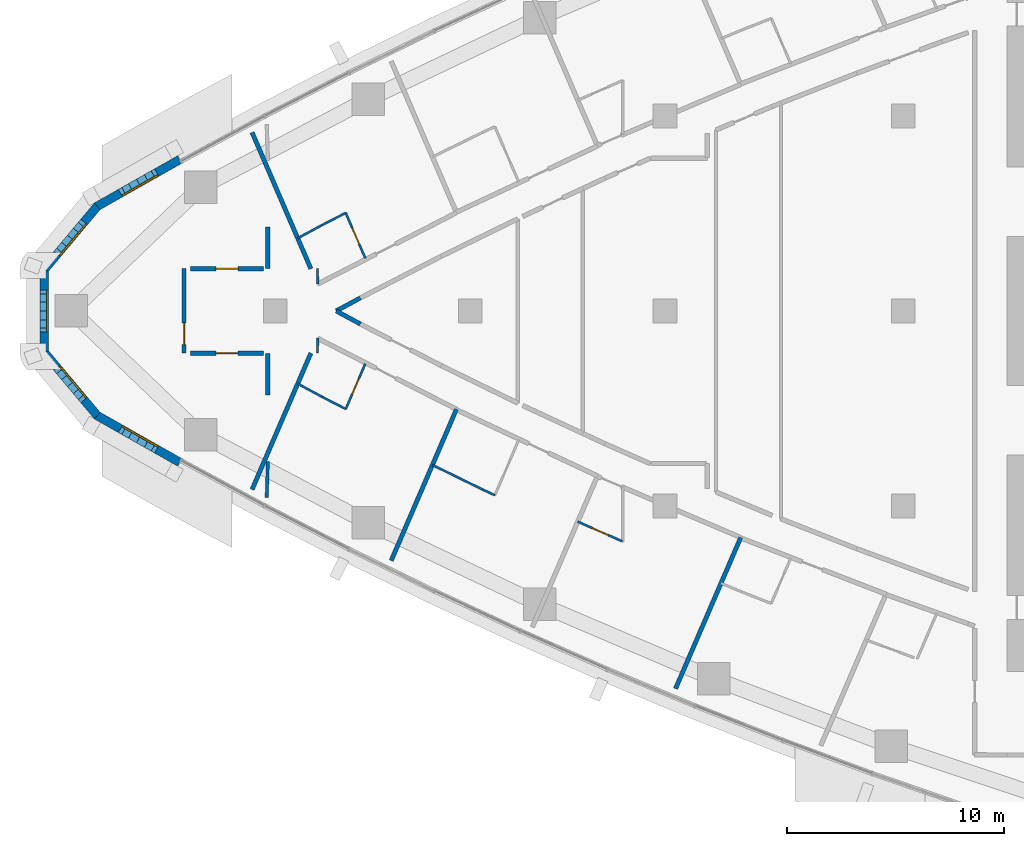
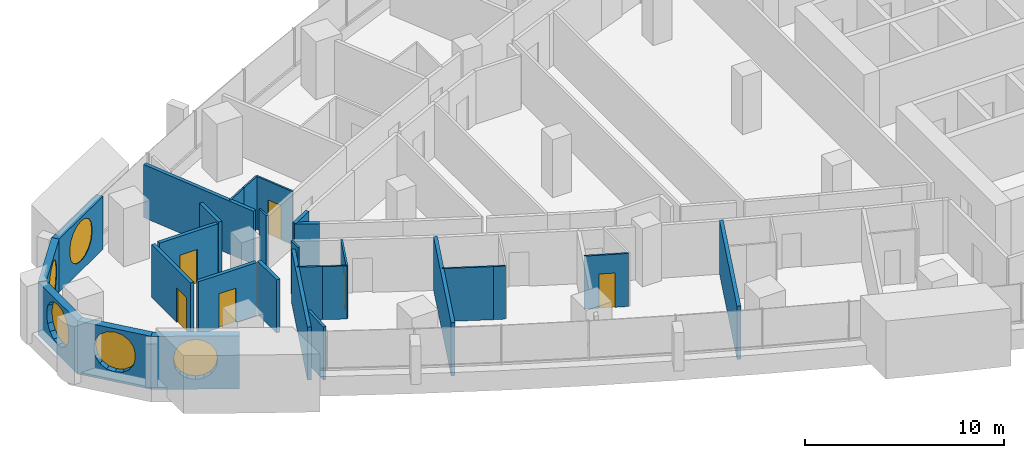
# One storey, part 8 of 17: 28 walls, 6 doors, 5 windows, 11 openings.
"""IFC4 building model written with IfcOpenShell, lengths in metres."""

from ifc_helpers import new_model, si_unit, direction, frame, frame_2d, origin, place, context, subcontext, project, spatial, polyline, rectangle, outline, extrude, material, layer, layer_set, type_object, element, fill, save


model = new_model("IFC4")

# Units and contexts
model_context = context("Model", 3, precision=1e-05, world=origin(), true_north=direction((0.0, 1.0)))
body_context = subcontext(model_context, "Body", "Model", "MODEL_VIEW")
ifc_project = project(units=[si_unit("LENGTHUNIT", "METRE"), si_unit("AREAUNIT", "SQUARE_METRE"), si_unit("VOLUMEUNIT", "CUBIC_METRE"), si_unit("PLANEANGLEUNIT", "RADIAN"), si_unit("MASSUNIT", "GRAM", prefix="KILO")], contexts=[model_context])

# Site, building, storey
site_placement = place(None, origin())
site = spatial("IfcSite", under=ifc_project, at=site_placement, CompositionType="ELEMENT")
building_placement = place(site_placement, origin())
building = spatial("IfcBuilding", under=site, at=building_placement, Name="Ostrand Prow Hotel Tower", CompositionType="ELEMENT")
storey_placement = place(building_placement, frame((0.0, 0.0, 137.300048828125)))
storey = spatial("IfcBuildingStorey", under=building, at=storey_placement, Name="L33", CompositionType="ELEMENT", Elevation=137.300048828125)

# Walls
ifc_material_1 = material(Name="Plasterboard partition")
ifc_layer_1 = layer(ifc_material_1, 0.10009765625)
ifc_layer_set_1 = layer_set([ifc_layer_1], Name="Plasterboard partition")
wall_type_1 = type_object("IfcWallType", Name="Partition 100 bathroom wall", PredefinedType="PARTITIONING", material=ifc_layer_set_1)
wall_1_placement = place(storey_placement, frame((17.03564453125, 3.3583984375, 0.0), z_axis=(0.0, 0.0, 1.0), x_axis=(0.879823588489, 0.475300382009, 0.0)))
element("IfcWall", 1, at=wall_1_placement, inside=storey, type_object=wall_type_1, Name="BATHROOM WALL", PredefinedType="PARTITIONING", context=body_context, shape_type="SweptSolid", body=[
    extrude(rectangle(XDim=1.27294921875, YDim=0.10009765625, at=frame_2d((0.636474609375, 0.0))), origin(), (0.0, 0.0, 1.0), 3.25),
])
wall_2_placement = place(storey_placement, frame((18.155517578125, 3.96337890625, 0.0), z_axis=(0.0, 0.0, 1.0), x_axis=(0.889106231322, 0.457700895154, 0.0)))
element("IfcWall", 2, at=wall_2_placement, inside=storey, type_object=wall_type_1, Name="BATHROOM WALL", PredefinedType="PARTITIONING", context=body_context, shape_type="SweptSolid", body=[
    extrude(rectangle(XDim=1.23486328125, YDim=0.10009765625, at=frame_2d((0.617431640625, 0.0))), origin(), (0.0, 0.0, 1.0), 3.25),
])

# Wall, opening, door
wall_3_placement = place(storey_placement, frame((19.253662109375, 4.528564453125, 0.0), z_axis=(0.0, 0.0, 1.0), x_axis=(0.395958457437, -0.9182684248, 0.0)))
wall_3 = element("IfcWall", 3, at=wall_3_placement, inside=storey, type_object=wall_type_1, Name="BATHROOM WALL", PredefinedType="PARTITIONING", context=body_context, shape_type="SweptSolid", body=[
    extrude(rectangle(XDim=2.281982421875, YDim=0.10009765625, at=frame_2d((1.14111328125, 0.0))), origin(), (0.0, 0.0, 1.0), 3.25),
])
opening_1_placement = place(wall_3_placement, frame((0.75, 0.0, 0.0)))
opening_1 = element("IfcOpeningElement", 4, at=opening_1_placement, cuts=wall_3, Name="Opening D2", PredefinedType="OPENING", context=body_context, shape_type="SweptSolid", body=[
    extrude(rectangle(XDim=0.800048828125, YDim=2.10009765625, at=frame_2d((0.39990234375, 1.050048828125))), frame((0.0, 0.06005859375, 0.0), z_axis=(0.0, -1.0, 0.0), x_axis=(1.0, 0.0, 0.0)), (0.0, 0.0, 1.0), 0.1201171875),
])
ifc_material_2 = material(Name="Timber door leaf", Category="wood")
door_type_1 = type_object("IfcDoorType", Name="Bathroom door 800", OperationType="SINGLE_SWING_LEFT", PredefinedType="DOOR", material=ifc_material_2)
door_1_placement = place(opening_1_placement, origin())
door_1 = element("IfcDoor", 5, at=door_1_placement, inside=storey, type_object=door_type_1, Name="DOOR", OperationType="SINGLE_SWING_LEFT", OverallHeight=2.10009765625, OverallWidth=0.800048828125, PredefinedType="DOOR", context=body_context, shape_type="SweptSolid", body=[
    extrude(rectangle(XDim=0.800048828125, YDim=2.10009765625, at=frame_2d((0.39990234375, 1.050048828125))), frame((0.0, 0.02490234375, 0.0), z_axis=(0.0, -1.0, 0.0), x_axis=(1.0, 0.0, 0.0)), (0.0, 0.0, 1.0), 0.050048828125),
])
fill(opening_1, door_1)

wall_4_placement = place(storey_placement, frame((20.1572265625, -2.43310546875, 0.0), z_axis=(0.0, 0.0, 1.0), x_axis=(-0.395958457437, -0.9182684248, 0.0)))
wall_4 = element("IfcWall", 6, at=wall_4_placement, inside=storey, type_object=wall_type_1, Name="BATHROOM WALL", PredefinedType="PARTITIONING", context=body_context, shape_type="SweptSolid", body=[
    extrude(rectangle(XDim=2.281982421875, YDim=0.10009765625, at=frame_2d((1.14111328125, 0.0))), origin(), (0.0, 0.0, 1.0), 3.25),
])
opening_2_placement = place(wall_4_placement, frame((0.75, 0.0, 0.0)))
opening_2 = element("IfcOpeningElement", 7, at=opening_2_placement, cuts=wall_4, Name="Opening D2", PredefinedType="OPENING", context=body_context, shape_type="SweptSolid", body=[
    extrude(rectangle(XDim=0.800048828125, YDim=2.10009765625, at=frame_2d((0.39990234375, 1.050048828125))), frame((0.0, 0.06005859375, 0.0), z_axis=(0.0, -1.0, 0.0), x_axis=(1.0, 0.0, 0.0)), (0.0, 0.0, 1.0), 0.1201171875),
])
door_2_placement = place(opening_2_placement, origin())
door_2 = element("IfcDoor", 8, at=door_2_placement, inside=storey, type_object=door_type_1, Name="DOOR", OperationType="SINGLE_SWING_LEFT", OverallHeight=2.10009765625, OverallWidth=0.800048828125, PredefinedType="DOOR", context=body_context, shape_type="SweptSolid", body=[
    extrude(rectangle(XDim=0.800048828125, YDim=2.10009765625, at=frame_2d((0.39990234375, 1.050048828125))), frame((0.0, 0.02490234375, 0.0), z_axis=(0.0, -1.0, 0.0), x_axis=(1.0, 0.0, 0.0)), (0.0, 0.0, 1.0), 0.050048828125),
])
fill(opening_2, door_2)

# Walls
wall_5_placement = place(storey_placement, frame((19.25341796875, -4.528564453125, 0.0), z_axis=(0.0, 0.0, 1.0), x_axis=(-0.889106231322, 0.457700895154, 0.0)))
element("IfcWall", 9, at=wall_5_placement, inside=storey, type_object=wall_type_1, Name="BATHROOM WALL", PredefinedType="PARTITIONING", context=body_context, shape_type="SweptSolid", body=[
    extrude(rectangle(XDim=1.23486328125, YDim=0.10009765625, at=frame_2d((0.617431640625, 0.0))), origin(), (0.0, 0.0, 1.0), 3.25),
])
wall_6_placement = place(storey_placement, frame((18.155517578125, -3.96337890625, 0.0), z_axis=(0.0, 0.0, 1.0), x_axis=(-0.879823588489, 0.475300382009, 0.0)))
element("IfcWall", 10, at=wall_6_placement, inside=storey, type_object=wall_type_1, Name="BATHROOM WALL", PredefinedType="PARTITIONING", context=body_context, shape_type="SweptSolid", body=[
    extrude(rectangle(XDim=1.27294921875, YDim=0.10009765625, at=frame_2d((0.636474609375, 0.0))), origin(), (0.0, 0.0, 1.0), 3.25),
])
wall_7_placement = place(storey_placement, frame((26.1396484375, -8.510009765625, 0.0), z_axis=(0.0, 0.0, 1.0), x_axis=(-0.906923333349, 0.421295700699, 0.0)))
element("IfcWall", 11, at=wall_7_placement, inside=storey, type_object=wall_type_1, Name="BATHROOM WALL", PredefinedType="PARTITIONING", context=body_context, shape_type="SweptSolid", body=[
    extrude(rectangle(XDim=0.622314453125, YDim=0.10009765625, at=frame_2d((0.31103515625, 0.0))), origin(), (0.0, 0.0, 1.0), 3.25),
])
wall_8_placement = place(storey_placement, frame((25.5751953125, -8.247802734375, 0.0), z_axis=(0.0, 0.0, 1.0), x_axis=(-0.89814200952, 0.439705504555, 0.0)))
element("IfcWall", 12, at=wall_8_placement, inside=storey, type_object=wall_type_1, Name="BATHROOM WALL", PredefinedType="PARTITIONING", context=body_context, shape_type="SweptSolid", body=[
    extrude(rectangle(XDim=2.580810546875, YDim=0.10009765625, at=frame_2d((1.29052734375, 0.0))), origin(), (0.0, 0.0, 1.0), 3.25),
])

# Wall, opening, door
wall_9_placement = place(storey_placement, frame((32.02783203125, -10.638427734375, 0.0), z_axis=(0.0, 0.0, 1.0), x_axis=(-0.915118086658, 0.403185921719, 0.0)))
wall_9 = element("IfcWall", 13, at=wall_9_placement, inside=storey, type_object=wall_type_1, Name="BATHROOM WALL", PredefinedType="PARTITIONING", context=body_context, shape_type="SweptSolid", body=[
    extrude(rectangle(XDim=2.24951171875, YDim=0.10009765625, at=frame_2d((1.124755859375, 0.0))), origin(), (0.0, 0.0, 1.0), 3.25),
])
opening_3_placement = place(wall_9_placement, frame((0.699951171875, 0.0, 0.0)))
opening_3 = element("IfcOpeningElement", 14, at=opening_3_placement, cuts=wall_9, Name="Opening D2", PredefinedType="OPENING", context=body_context, shape_type="SweptSolid", body=[
    extrude(rectangle(XDim=0.800048828125, YDim=2.10009765625, at=frame_2d((0.39990234375, 1.050048828125))), frame((0.0, 0.06005859375, 0.0), z_axis=(0.0, -1.0, 0.0), x_axis=(1.0, 0.0, 0.0)), (0.0, 0.0, 1.0), 0.1201171875),
])
door_3_placement = place(opening_3_placement, origin())
door_3 = element("IfcDoor", 15, at=door_3_placement, inside=storey, type_object=door_type_1, Name="DOOR", OperationType="SINGLE_SWING_LEFT", OverallHeight=2.10009765625, OverallWidth=0.800048828125, PredefinedType="DOOR", context=body_context, shape_type="SweptSolid", body=[
    extrude(rectangle(XDim=0.800048828125, YDim=2.10009765625, at=frame_2d((0.39990234375, 1.050048828125))), frame((0.0, 0.02490234375, 0.0), z_axis=(0.0, -1.0, 0.0), x_axis=(1.0, 0.0, 0.0)), (0.0, 0.0, 1.0), 0.050048828125),
])
fill(opening_3, door_3)

# Walls
for number, where, z_axis, x_axis, name in (
    (16, (17.959716796875, 1.248779296875, 0.0), (0.0, 0.0, 1.0), (-0.007291472831, 0.999973416859, 0.0), "BATHROOM WALL"),
    (17, (17.95458984375, -1.951904296875, 0.0), (0.0, 0.0, 1.0), (0.007291472831, 0.999973416859, 0.0), "BATHROOM WALL"),
):
    element("IfcWall", number, at=place(storey_placement, frame(where, z_axis=z_axis, x_axis=x_axis)), inside=storey, type_object=wall_type_1, Name=name, PredefinedType="PARTITIONING", context=body_context, shape_type="SweptSolid", body=[
        extrude(rectangle(XDim=0.703125, YDim=0.10009765625, at=frame_2d((0.3515625, 0.0))), origin(), (0.0, 0.0, 1.0), 3.25),
    ])
ifc_material_3 = material(Name="Plasterboard partition")
ifc_layer_2 = layer(ifc_material_3, 0.14990234375)
ifc_layer_set_2 = layer_set([ifc_layer_2], Name="Plasterboard partition")
wall_type_2 = type_object("IfcWallType", Name="Partition 150 room partition", PredefinedType="PARTITIONING", material=ifc_layer_set_2)
wall_10_placement = place(storey_placement, frame((15.65869140625, -6.955078125, 0.0), z_axis=(0.0, 0.0, 1.0), x_axis=(-0.033196927484, -0.999448830109, 0.0)))
element("IfcWall", 18, at=wall_10_placement, inside=storey, type_object=wall_type_2, Name="ROOM PARTITION", PredefinedType="PARTITIONING", context=body_context, shape_type="SweptSolid", body=[
    extrude(rectangle(XDim=1.65478515625, YDim=0.14990234375, at=frame_2d((0.827392578125, 0.0))), origin(), (0.0, 0.0, 1.0), 3.25),
])

# Wall, opening, door
ifc_material_4 = material(Name="Plasterboard partition")
ifc_layer_3 = layer(ifc_material_4, 0.199951171875)
ifc_layer_set_3 = layer_set([ifc_layer_3], Name="Plasterboard partition")
wall_type_3 = type_object("IfcWallType", Name="Partition 200 corridor wall", PredefinedType="PARTITIONING", material=ifc_layer_set_3)
wall_11_placement = place(storey_placement, frame((12.086669921875, 1.949951171875, 0.0), z_axis=(0.0, 0.0, 1.0), x_axis=(1.0, 0.0, 0.0)))
wall_11 = element("IfcWall", 19, at=wall_11_placement, inside=storey, type_object=wall_type_3, Name="CORRIDOR WALL", PredefinedType="PARTITIONING", context=body_context, shape_type="SweptSolid", body=[
    extrude(rectangle(XDim=3.3720703125, YDim=0.199951171875, at=frame_2d((1.68603515625, 0.0))), origin(), (0.0, 0.0, 1.0), 3.25),
])
opening_4_placement = place(wall_11_placement, frame((1.18603515625, 0.0, 0.0)))
opening_4 = element("IfcOpeningElement", 20, at=opening_4_placement, cuts=wall_11, Name="Opening D1", PredefinedType="OPENING", context=body_context, shape_type="SweptSolid", body=[
    extrude(rectangle(XDim=1.0, YDim=2.10009765625, at=frame_2d((0.5, 1.050048828125))), frame((0.0, 0.10986328125, 0.0), z_axis=(0.0, -1.0, 0.0), x_axis=(1.0, 0.0, 0.0)), (0.0, 0.0, 1.0), 0.219970703125),
])
ifc_material_5 = material(Name="Timber door leaf", Category="wood")
door_type_2 = type_object("IfcDoorType", Name="Guest room door 1000", OperationType="SINGLE_SWING_LEFT", PredefinedType="DOOR", material=ifc_material_5)
door_4_placement = place(opening_4_placement, origin())
door_4 = element("IfcDoor", 21, at=door_4_placement, inside=storey, type_object=door_type_2, Name="DOOR", OperationType="SINGLE_SWING_LEFT", OverallHeight=2.10009765625, OverallWidth=1.0, PredefinedType="DOOR", context=body_context, shape_type="SweptSolid", body=[
    extrude(rectangle(XDim=1.0, YDim=2.10009765625, at=frame_2d((0.5, 1.050048828125))), frame((0.0, 0.02490234375, 0.0), z_axis=(0.0, -1.0, 0.0), x_axis=(1.0, 0.0, 0.0)), (0.0, 0.0, 1.0), 0.050048828125),
])
fill(opening_4, door_4)

wall_12_placement = place(storey_placement, frame((12.086669921875, -1.949951171875, 0.0), z_axis=(0.0, 0.0, 1.0), x_axis=(1.0, 0.0, 0.0)))
wall_12 = element("IfcWall", 22, at=wall_12_placement, inside=storey, type_object=wall_type_3, Name="CORRIDOR WALL", PredefinedType="PARTITIONING", context=body_context, shape_type="SweptSolid", body=[
    extrude(rectangle(XDim=3.3720703125, YDim=0.199951171875, at=frame_2d((1.68603515625, 0.0))), origin(), (0.0, 0.0, 1.0), 3.25),
])
opening_5_placement = place(wall_12_placement, frame((1.18603515625, 0.0, 0.0)))
opening_5 = element("IfcOpeningElement", 23, at=opening_5_placement, cuts=wall_12, Name="Opening D1R", PredefinedType="OPENING", context=body_context, shape_type="SweptSolid", body=[
    extrude(rectangle(XDim=1.0, YDim=2.10009765625, at=frame_2d((0.5, 1.050048828125))), frame((0.0, 0.10986328125, 0.0), z_axis=(0.0, -1.0, 0.0), x_axis=(1.0, 0.0, 0.0)), (0.0, 0.0, 1.0), 0.219970703125),
])
ifc_material_6 = material(Name="Timber door leaf", Category="wood")
door_type_3 = type_object("IfcDoorType", Name="Guest room door 1000 right", OperationType="SINGLE_SWING_RIGHT", PredefinedType="DOOR", material=ifc_material_6)
door_5_placement = place(opening_5_placement, origin())
door_5 = element("IfcDoor", 24, at=door_5_placement, inside=storey, type_object=door_type_3, Name="DOOR", OperationType="SINGLE_SWING_RIGHT", OverallHeight=2.10009765625, OverallWidth=1.0, PredefinedType="DOOR", context=body_context, shape_type="SweptSolid", body=[
    extrude(rectangle(XDim=1.0, YDim=2.10009765625, at=frame_2d((0.5, 1.050048828125))), frame((0.0, 0.02490234375, 0.0), z_axis=(0.0, -1.0, 0.0), x_axis=(1.0, 0.0, 0.0)), (0.0, 0.0, 1.0), 0.050048828125),
])
fill(opening_5, door_5)

# Walls
for number, where, z_axis, x_axis, name in (
    (25, (19.928466796875, -0.60205078125, 0.0), (0.0, 0.0, 1.0), (-0.879832865766, 0.475283208538, 0.0), "CORRIDOR WALL"),
    (26, (18.81396484375, 0.0, 0.0), (0.0, 0.0, 1.0), (0.879832865766, 0.475283208538, 0.0), "CORRIDOR WALL"),
):
    element("IfcWall", number, at=place(storey_placement, frame(where, z_axis=z_axis, x_axis=x_axis)), inside=storey, type_object=wall_type_3, Name=name, PredefinedType="PARTITIONING", context=body_context, shape_type="SweptSolid", body=[
        extrude(rectangle(XDim=1.2666015625, YDim=0.199951171875, at=frame_2d((0.63330078125, 0.0))), origin(), (0.0, 0.0, 1.0), 3.25),
    ])
wall_13_placement = place(storey_placement, frame((15.65869140625, 3.869384765625, 0.0), z_axis=(0.0, 0.0, 1.0), x_axis=(0.0, -1.0, 0.0)))
element("IfcWall", 27, at=wall_13_placement, inside=storey, type_object=wall_type_3, Name="CORRIDOR WALL", PredefinedType="PARTITIONING", context=body_context, shape_type="SweptSolid", body=[
    extrude(rectangle(XDim=1.914306640625, YDim=0.199951171875, at=frame_2d((0.95703125, 0.0))), origin(), (0.0, 0.0, 1.0), 3.25),
])
wall_14_placement = place(storey_placement, frame((15.65869140625, -1.955078125, 0.0), z_axis=(0.0, 0.0, 1.0), x_axis=(0.0, -1.0, 0.0)))
element("IfcWall", 28, at=wall_14_placement, inside=storey, type_object=wall_type_3, Name="CORRIDOR WALL", PredefinedType="PARTITIONING", context=body_context, shape_type="SweptSolid", body=[
    extrude(rectangle(XDim=1.921630859375, YDim=0.199951171875, at=frame_2d((0.9609375, 0.0))), origin(), (0.0, 0.0, 1.0), 3.25),
])
ifc_material_7 = material(Name="Plasterboard partition")
ifc_layer_4 = layer(ifc_material_7, 0.199951171875)
ifc_layer_set_4 = layer_set([ifc_layer_4], Name="Plasterboard partition")
wall_type_4 = type_object("IfcWallType", Name="Partition 200 key partition", PredefinedType="PARTITIONING", material=ifc_layer_set_4)
for number, where, z_axis, x_axis, name in (
    (29, (17.64306640625, 1.949951171875, 0.0), (0.0, 0.0, 1.0), (-0.395994543879, 0.918252863441, 0.0), "KEY PARTITION"),
    (30, (14.9287109375, -8.244140625, 0.0), (0.0, 0.0, 1.0), (0.395994543879, 0.918252863441, 0.0), "KEY PARTITION"),
):
    element("IfcWall", number, at=place(storey_placement, frame(where, z_axis=z_axis, x_axis=x_axis)), inside=storey, type_object=wall_type_4, Name=name, PredefinedType="PARTITIONING", context=body_context, shape_type="SweptSolid", body=[
        extrude(rectangle(XDim=6.8544921875, YDim=0.199951171875, at=frame_2d((3.42724609375, 0.0))), origin(), (0.0, 0.0, 1.0), 3.25),
    ])
wall_15_placement = place(storey_placement, frame((21.3544921875, -11.52587890625, 0.0), z_axis=(0.0, 0.0, 1.0), x_axis=(0.395982367396, 0.918258114427, 0.0)))
element("IfcWall", 31, at=wall_15_placement, inside=storey, type_object=wall_type_4, Name="KEY PARTITION", PredefinedType="PARTITIONING", context=body_context, shape_type="SweptSolid", body=[
    extrude(rectangle(XDim=7.60888671875, YDim=0.199951171875, at=frame_2d((3.804443359375, 0.0))), origin(), (0.0, 0.0, 1.0), 3.25),
])
wall_16_placement = place(storey_placement, frame((34.485107421875, -17.441650390625, 0.0), z_axis=(0.0, 0.0, 1.0), x_axis=(0.396019423722, 0.918242133664, 0.0)))
element("IfcWall", 32, at=wall_16_placement, inside=storey, type_object=wall_type_4, Name="KEY PARTITION", PredefinedType="PARTITIONING", context=body_context, shape_type="SweptSolid", body=[
    extrude(rectangle(XDim=7.6005859375, YDim=0.199951171875, at=frame_2d((3.80029296875, 0.0))), origin(), (0.0, 0.0, 1.0), 3.25),
])

# Wall, opening, door
ifc_material_8 = material(Name="Plasterboard partition")
ifc_layer_5 = layer(ifc_material_8, 0.199951171875)
ifc_layer_set_5 = layer_set([ifc_layer_5], Name="Plasterboard partition")
wall_type_5 = type_object("IfcWallType", Name="Partition 200 lounge wall", PredefinedType="PARTITIONING", material=ifc_layer_set_5)
wall_17_placement = place(storey_placement, frame((11.78662109375, -1.949951171875, 0.0), z_axis=(0.0, 0.0, 1.0), x_axis=(0.0, 1.0, 0.0)))
wall_17 = element("IfcWall", 33, at=wall_17_placement, inside=storey, type_object=wall_type_5, Name="LOUNGE WALL", PredefinedType="PARTITIONING", context=body_context, shape_type="SweptSolid", body=[
    extrude(rectangle(XDim=3.89990234375, YDim=0.199951171875, at=frame_2d((1.949951171875, 0.0))), origin(), (0.0, 0.0, 1.0), 3.25),
])
opening_6_placement = place(wall_17_placement, frame((0.39990234375, 0.0, 0.0)))
opening_6 = element("IfcOpeningElement", 34, at=opening_6_placement, cuts=wall_17, Name="Opening D1", PredefinedType="OPENING", context=body_context, shape_type="SweptSolid", body=[
    extrude(rectangle(XDim=1.0, YDim=2.10009765625, at=frame_2d((0.5, 1.050048828125))), frame((0.0, 0.10986328125, 0.0), z_axis=(0.0, -1.0, 0.0), x_axis=(1.0, 0.0, 0.0)), (0.0, 0.0, 1.0), 0.219970703125),
])
door_6_placement = place(opening_6_placement, origin())
door_6 = element("IfcDoor", 35, at=door_6_placement, inside=storey, type_object=door_type_2, Name="DOOR", OperationType="SINGLE_SWING_LEFT", OverallHeight=2.10009765625, OverallWidth=1.0, PredefinedType="DOOR", context=body_context, shape_type="SweptSolid", body=[
    extrude(rectangle(XDim=1.0, YDim=2.10009765625, at=frame_2d((0.5, 1.050048828125))), frame((0.0, 0.02490234375, 0.0), z_axis=(0.0, -1.0, 0.0), x_axis=(1.0, 0.0, 0.0)), (0.0, 0.0, 1.0), 0.050048828125),
])
fill(opening_6, door_6)

# Wall, opening, window
ifc_material_9 = material(Name="Precast concrete C40/50", Category="concrete")
ifc_layer_6 = layer(ifc_material_9, 0.39990234375)
ifc_layer_set_6 = layer_set([ifc_layer_6], Name="Precast concrete C40/50")
wall_type_6 = type_object("IfcWallType", Name="Stone-faced precast wall 400 mm", PredefinedType="NOTDEFINED", material=ifc_layer_set_6)
wall_18_placement = place(storey_placement, frame((11.594482421875, 6.996826171875, 0.0), z_axis=(0.0, 0.0, 1.0), x_axis=(-0.870045255208, -0.492971859125, 0.0)))
wall_18 = element("IfcWall", 36, at=wall_18_placement, inside=storey, type_object=wall_type_6, Name="Stone-faced wall prow 1", PredefinedType="NOTDEFINED", context=body_context, shape_type="SweptSolid", body=[
    extrude(outline(polyline([(0.0, -0.199951171875), (4.424072265625, -0.199951171875), (4.351806640625, 0.199951171875), (0.0, 0.199951171875), (0.0, -0.199951171875)])), origin(), (0.0, 0.0, 1.0), 3.25),
])
opening_7_placement = place(wall_18_placement, frame((1.093994140625, 0.0, 0.60009765625)))
opening_7 = element("IfcOpeningElement", 37, at=opening_7_placement, cuts=wall_18, Name="Opening WP2", PredefinedType="OPENING", context=body_context, shape_type="SweptSolid", body=[
    extrude(outline(polyline([(0.0, 1.35009765625), (0.083740234375, 1.77099609375), (0.322265625, 2.127685546875), (0.678955078125, 2.3662109375), (1.10009765625, 2.449951171875), (1.52099609375, 2.3662109375), (1.877685546875, 2.127685546875), (2.1162109375, 1.77099609375), (2.199951171875, 1.35009765625), (2.199951171875, 1.10009765625), (2.1162109375, 0.678955078125), (1.877685546875, 0.322265625), (1.52099609375, 0.083740234375), (1.10009765625, 0.0), (0.678955078125, 0.083740234375), (0.322265625, 0.322265625), (0.083740234375, 0.678955078125), (0.0, 1.099853515625), (0.0, 1.35009765625)])), frame((0.0, 0.2099609375, 0.0), z_axis=(0.0, -1.0, 0.0), x_axis=(1.0, 0.0, 0.0)), (0.0, 0.0, 1.0), 0.419921875),
])
ifc_material_10 = material(Name="Insulated glass in bronze frame", Category="glass")
window_type = type_object("IfcWindowType", Name="Round-ended prow lounge window 2200x2450", PartitioningType="SINGLE_PANEL", PredefinedType="WINDOW", material=ifc_material_10)
window_1_placement = place(opening_7_placement, origin())
window_1 = element("IfcWindow", 38, at=window_1_placement, inside=storey, type_object=window_type, Name="Window prow 1.1", OverallHeight=2.449951171875, OverallWidth=2.199951171875, PartitioningType="SINGLE_PANEL", PredefinedType="WINDOW", context=body_context, shape_type="SweptSolid", body=[
    extrude(outline(polyline([(0.0, 1.35009765625), (0.083740234375, 1.77099609375), (0.322265625, 2.127685546875), (0.678955078125, 2.3662109375), (1.10009765625, 2.449951171875), (1.52099609375, 2.3662109375), (1.877685546875, 2.127685546875), (2.1162109375, 1.77099609375), (2.199951171875, 1.35009765625), (2.199951171875, 1.10009765625), (2.1162109375, 0.678955078125), (1.877685546875, 0.322265625), (1.52099609375, 0.083740234375), (1.10009765625, 0.0), (0.678955078125, 0.083740234375), (0.322265625, 0.322265625), (0.083740234375, 0.678955078125), (0.0, 1.099853515625), (0.0, 1.35009765625)])), frame((0.0, 0.169921875, 0.0), z_axis=(0.0, -1.0, 0.0), x_axis=(1.0, 0.0, 0.0)), (0.0, 0.0, 1.0), 0.06005859375),
])
fill(opening_7, window_1)

wall_19_placement = place(storey_placement, frame((7.77685546875, 4.833740234375, 0.0), z_axis=(0.0, 0.0, 1.0), x_axis=(-0.641787918235, -0.766882173484, 0.0)))
wall_19 = element("IfcWall", 39, at=wall_19_placement, inside=storey, type_object=wall_type_6, Name="Stone-faced wall prow 2", PredefinedType="NOTDEFINED", context=body_context, shape_type="SweptSolid", body=[
    extrude(outline(polyline([(-0.0361328125, -0.199951171875), (3.887939453125, -0.199951171875), (3.742919921875, 0.199951171875), (0.0361328125, 0.199951171875), (-0.0361328125, -0.199951171875)])), origin(), (0.0, 0.0, 1.0), 3.25),
])
opening_8_placement = place(wall_19_placement, frame((0.8076171875, 0.0, 0.60009765625)))
opening_8 = element("IfcOpeningElement", 40, at=opening_8_placement, cuts=wall_19, Name="Opening WP2", PredefinedType="OPENING", context=body_context, shape_type="SweptSolid", body=[
    extrude(outline(polyline([(0.0, 1.35009765625), (0.083740234375, 1.77099609375), (0.322265625, 2.127685546875), (0.678955078125, 2.3662109375), (1.10009765625, 2.449951171875), (1.52099609375, 2.3662109375), (1.877685546875, 2.127685546875), (2.1162109375, 1.77099609375), (2.199951171875, 1.35009765625), (2.199951171875, 1.10009765625), (2.1162109375, 0.678955078125), (1.877685546875, 0.322265625), (1.52099609375, 0.083740234375), (1.10009765625, 0.0), (0.678955078125, 0.083740234375), (0.322265625, 0.322265625), (0.083740234375, 0.678955078125), (0.0, 1.099853515625), (0.0, 1.35009765625)])), frame((0.0, 0.2099609375, 0.0), z_axis=(0.0, -1.0, 0.0), x_axis=(1.0, 0.0, 0.0)), (0.0, 0.0, 1.0), 0.419921875),
])
window_2_placement = place(opening_8_placement, origin())
window_2 = element("IfcWindow", 41, at=window_2_placement, inside=storey, type_object=window_type, Name="Window prow 2.1", OverallHeight=2.449951171875, OverallWidth=2.199951171875, PartitioningType="SINGLE_PANEL", PredefinedType="WINDOW", context=body_context, shape_type="SweptSolid", body=[
    extrude(outline(polyline([(0.0, 1.35009765625), (0.083740234375, 1.77099609375), (0.322265625, 2.127685546875), (0.678955078125, 2.3662109375), (1.10009765625, 2.449951171875), (1.52099609375, 2.3662109375), (1.877685546875, 2.127685546875), (2.1162109375, 1.77099609375), (2.199951171875, 1.35009765625), (2.199951171875, 1.10009765625), (2.1162109375, 0.678955078125), (1.877685546875, 0.322265625), (1.52099609375, 0.083740234375), (1.10009765625, 0.0), (0.678955078125, 0.083740234375), (0.322265625, 0.322265625), (0.083740234375, 0.678955078125), (0.0, 1.099853515625), (0.0, 1.35009765625)])), frame((0.0, 0.169921875, 0.0), z_axis=(0.0, -1.0, 0.0), x_axis=(1.0, 0.0, 0.0)), (0.0, 0.0, 1.0), 0.06005859375),
])
fill(opening_8, window_2)

wall_20_placement = place(storey_placement, frame((5.328125, 1.90771484375, 0.0), z_axis=(0.0, 0.0, 1.0), x_axis=(0.0, -1.0, 0.0)))
wall_20 = element("IfcWall", 42, at=wall_20_placement, inside=storey, type_object=wall_type_6, Name="Stone-faced wall prow 3", PredefinedType="NOTDEFINED", context=body_context, shape_type="SweptSolid", body=[
    extrude(outline(polyline([(-0.072509765625, -0.199951171875), (3.887939453125, -0.199951171875), (3.742919921875, 0.199951171875), (0.072509765625, 0.199951171875), (-0.072509765625, -0.199951171875)])), origin(), (0.0, 0.0, 1.0), 3.25),
])
opening_9_placement = place(wall_20_placement, frame((0.8076171875, 0.0, 0.60009765625)))
opening_9 = element("IfcOpeningElement", 43, at=opening_9_placement, cuts=wall_20, Name="Opening WP2", PredefinedType="OPENING", context=body_context, shape_type="SweptSolid", body=[
    extrude(outline(polyline([(0.0, 1.35009765625), (0.083740234375, 1.77099609375), (0.322265625, 2.127685546875), (0.678955078125, 2.3662109375), (1.10009765625, 2.449951171875), (1.52099609375, 2.3662109375), (1.877685546875, 2.127685546875), (2.1162109375, 1.77099609375), (2.199951171875, 1.35009765625), (2.199951171875, 1.10009765625), (2.1162109375, 0.678955078125), (1.877685546875, 0.322265625), (1.52099609375, 0.083740234375), (1.10009765625, 0.0), (0.678955078125, 0.083740234375), (0.322265625, 0.322265625), (0.083740234375, 0.678955078125), (0.0, 1.099853515625), (0.0, 1.35009765625)])), frame((0.0, 0.2099609375, 0.0), z_axis=(0.0, -1.0, 0.0), x_axis=(1.0, 0.0, 0.0)), (0.0, 0.0, 1.0), 0.419921875),
])
window_3_placement = place(opening_9_placement, origin())
window_3 = element("IfcWindow", 44, at=window_3_placement, inside=storey, type_object=window_type, Name="Window prow 3.1", OverallHeight=2.449951171875, OverallWidth=2.199951171875, PartitioningType="SINGLE_PANEL", PredefinedType="WINDOW", context=body_context, shape_type="SweptSolid", body=[
    extrude(outline(polyline([(0.0, 1.35009765625), (0.083740234375, 1.77099609375), (0.322265625, 2.127685546875), (0.678955078125, 2.3662109375), (1.10009765625, 2.449951171875), (1.52099609375, 2.3662109375), (1.877685546875, 2.127685546875), (2.1162109375, 1.77099609375), (2.199951171875, 1.35009765625), (2.199951171875, 1.10009765625), (2.1162109375, 0.678955078125), (1.877685546875, 0.322265625), (1.52099609375, 0.083740234375), (1.10009765625, 0.0), (0.678955078125, 0.083740234375), (0.322265625, 0.322265625), (0.083740234375, 0.678955078125), (0.0, 1.099853515625), (0.0, 1.35009765625)])), frame((0.0, 0.169921875, 0.0), z_axis=(0.0, -1.0, 0.0), x_axis=(1.0, 0.0, 0.0)), (0.0, 0.0, 1.0), 0.06005859375),
])
fill(opening_9, window_3)

wall_21_placement = place(storey_placement, frame((5.328125, -1.90771484375, 0.0), z_axis=(0.0, 0.0, 1.0), x_axis=(0.641787918235, -0.766882173484, 0.0)))
wall_21 = element("IfcWall", 45, at=wall_21_placement, inside=storey, type_object=wall_type_6, Name="Stone-faced wall prow 4", PredefinedType="NOTDEFINED", context=body_context, shape_type="SweptSolid", body=[
    extrude(outline(polyline([(-0.072509765625, -0.199951171875), (3.8515625, -0.199951171875), (3.779296875, 0.199951171875), (0.072509765625, 0.199951171875), (-0.072509765625, -0.199951171875)])), origin(), (0.0, 0.0, 1.0), 3.25),
])
opening_10_placement = place(wall_21_placement, frame((0.8076171875, 0.0, 0.60009765625)))
opening_10 = element("IfcOpeningElement", 46, at=opening_10_placement, cuts=wall_21, Name="Opening WP2", PredefinedType="OPENING", context=body_context, shape_type="SweptSolid", body=[
    extrude(outline(polyline([(0.0, 1.35009765625), (0.083740234375, 1.77099609375), (0.322265625, 2.127685546875), (0.678955078125, 2.3662109375), (1.10009765625, 2.449951171875), (1.52099609375, 2.3662109375), (1.877685546875, 2.127685546875), (2.1162109375, 1.77099609375), (2.199951171875, 1.35009765625), (2.199951171875, 1.10009765625), (2.1162109375, 0.678955078125), (1.877685546875, 0.322265625), (1.52099609375, 0.083740234375), (1.10009765625, 0.0), (0.678955078125, 0.083740234375), (0.322265625, 0.322265625), (0.083740234375, 0.678955078125), (0.0, 1.099853515625), (0.0, 1.35009765625)])), frame((0.0, 0.2099609375, 0.0), z_axis=(0.0, -1.0, 0.0), x_axis=(1.0, 0.0, 0.0)), (0.0, 0.0, 1.0), 0.419921875),
])
window_4_placement = place(opening_10_placement, origin())
window_4 = element("IfcWindow", 47, at=window_4_placement, inside=storey, type_object=window_type, Name="Window prow 4.1", OverallHeight=2.449951171875, OverallWidth=2.199951171875, PartitioningType="SINGLE_PANEL", PredefinedType="WINDOW", context=body_context, shape_type="SweptSolid", body=[
    extrude(outline(polyline([(0.0, 1.35009765625), (0.083740234375, 1.77099609375), (0.322265625, 2.127685546875), (0.678955078125, 2.3662109375), (1.10009765625, 2.449951171875), (1.52099609375, 2.3662109375), (1.877685546875, 2.127685546875), (2.1162109375, 1.77099609375), (2.199951171875, 1.35009765625), (2.199951171875, 1.10009765625), (2.1162109375, 0.678955078125), (1.877685546875, 0.322265625), (1.52099609375, 0.083740234375), (1.10009765625, 0.0), (0.678955078125, 0.083740234375), (0.322265625, 0.322265625), (0.083740234375, 0.678955078125), (0.0, 1.099853515625), (0.0, 1.35009765625)])), frame((0.0, 0.169921875, 0.0), z_axis=(0.0, -1.0, 0.0), x_axis=(1.0, 0.0, 0.0)), (0.0, 0.0, 1.0), 0.06005859375),
])
fill(opening_10, window_4)

wall_22_placement = place(storey_placement, frame((7.77685546875, -4.833740234375, 0.0), z_axis=(0.0, 0.0, 1.0), x_axis=(0.870045255208, -0.492971859125, 0.0)))
wall_22 = element("IfcWall", 48, at=wall_22_placement, inside=storey, type_object=wall_type_6, Name="Stone-faced wall prow 5", PredefinedType="NOTDEFINED", context=body_context, shape_type="SweptSolid", body=[
    extrude(outline(polyline([(-0.0361328125, -0.199951171875), (4.387939453125, -0.199951171875), (4.387939453125, 0.199951171875), (0.0361328125, 0.199951171875), (-0.0361328125, -0.199951171875)])), origin(), (0.0, 0.0, 1.0), 3.25),
])
opening_11_placement = place(wall_22_placement, frame((1.093994140625, 0.0, 0.60009765625)))
opening_11 = element("IfcOpeningElement", 49, at=opening_11_placement, cuts=wall_22, Name="Opening WP2", PredefinedType="OPENING", context=body_context, shape_type="SweptSolid", body=[
    extrude(outline(polyline([(0.0, 1.35009765625), (0.083740234375, 1.77099609375), (0.322265625, 2.127685546875), (0.678955078125, 2.3662109375), (1.10009765625, 2.449951171875), (1.52099609375, 2.3662109375), (1.877685546875, 2.127685546875), (2.1162109375, 1.77099609375), (2.199951171875, 1.35009765625), (2.199951171875, 1.10009765625), (2.1162109375, 0.678955078125), (1.877685546875, 0.322265625), (1.52099609375, 0.083740234375), (1.10009765625, 0.0), (0.678955078125, 0.083740234375), (0.322265625, 0.322265625), (0.083740234375, 0.678955078125), (0.0, 1.099853515625), (0.0, 1.35009765625)])), frame((0.0, 0.2099609375, 0.0), z_axis=(0.0, -1.0, 0.0), x_axis=(1.0, 0.0, 0.0)), (0.0, 0.0, 1.0), 0.419921875),
])
window_5_placement = place(opening_11_placement, origin())
window_5 = element("IfcWindow", 50, at=window_5_placement, inside=storey, type_object=window_type, Name="Window prow 5.1", OverallHeight=2.449951171875, OverallWidth=2.199951171875, PartitioningType="SINGLE_PANEL", PredefinedType="WINDOW", context=body_context, shape_type="SweptSolid", body=[
    extrude(outline(polyline([(0.0, 1.35009765625), (0.083740234375, 1.77099609375), (0.322265625, 2.127685546875), (0.678955078125, 2.3662109375), (1.10009765625, 2.449951171875), (1.52099609375, 2.3662109375), (1.877685546875, 2.127685546875), (2.1162109375, 1.77099609375), (2.199951171875, 1.35009765625), (2.199951171875, 1.10009765625), (2.1162109375, 0.678955078125), (1.877685546875, 0.322265625), (1.52099609375, 0.083740234375), (1.10009765625, 0.0), (0.678955078125, 0.083740234375), (0.322265625, 0.322265625), (0.083740234375, 0.678955078125), (0.0, 1.099853515625), (0.0, 1.35009765625)])), frame((0.0, 0.169921875, 0.0), z_axis=(0.0, -1.0, 0.0), x_axis=(1.0, 0.0, 0.0)), (0.0, 0.0, 1.0), 0.06005859375),
])
fill(opening_11, window_5)

save(model, "model.ifc")
